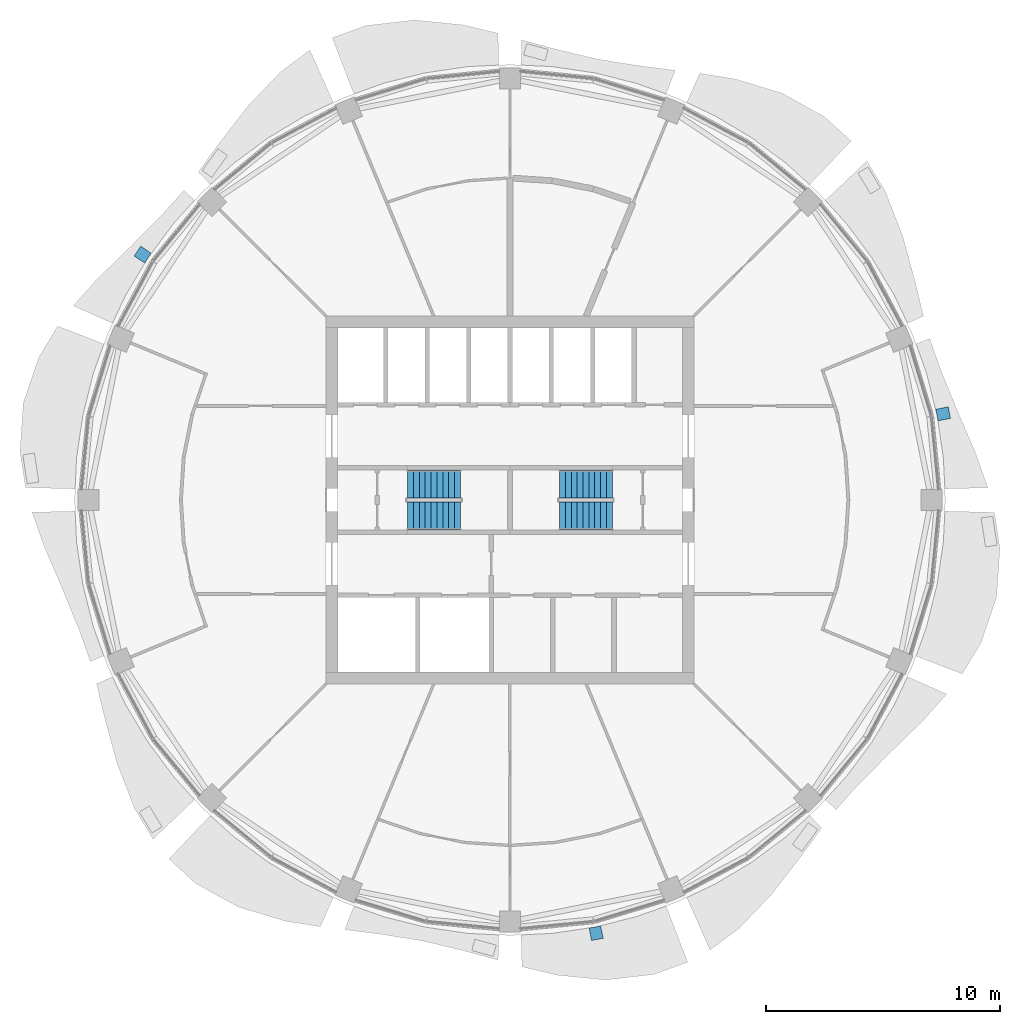
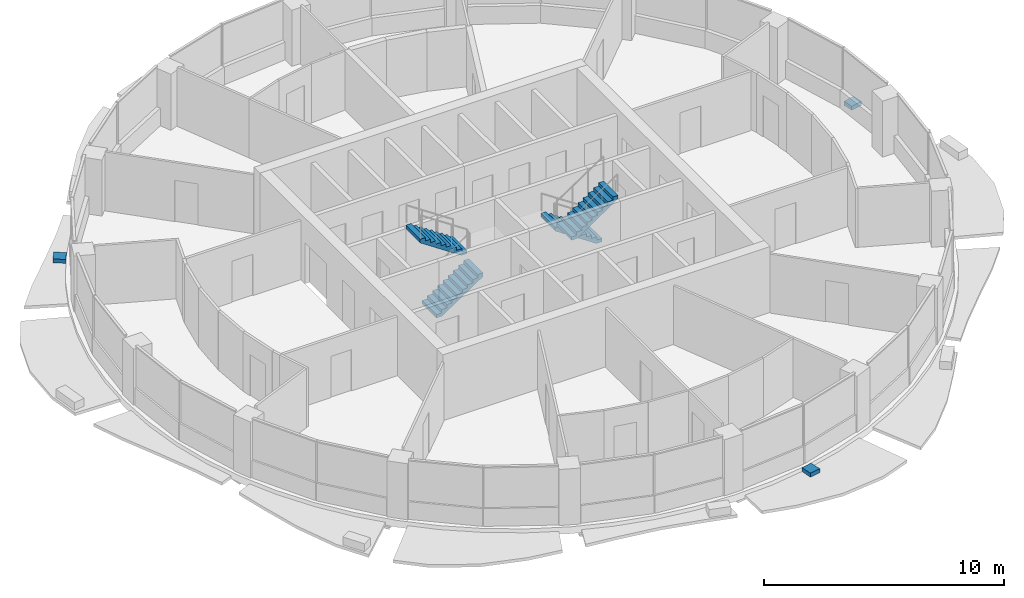
# One storey, part 11 of 15: 4 stair flights, 3 discrete accessories, 2 elements without a shape of their own.
"""IFC4 building model written with IfcOpenShell, lengths in metres."""

from ifc_helpers import new_model, si_unit, direction, frame, origin, place, context, subcontext, project, spatial, polyline, outline, extrude, material, type_object, element, aggregate, save


model = new_model("IFC4")

# Units and contexts
model_context = context("Model", 3, precision=1e-05, world=origin(), true_north=direction((0.0, 1.0)))
body_context = subcontext(model_context, "Body", "Model", "MODEL_VIEW")
ifc_project = project(units=[si_unit("LENGTHUNIT", "METRE"), si_unit("AREAUNIT", "SQUARE_METRE"), si_unit("VOLUMEUNIT", "CUBIC_METRE"), si_unit("PLANEANGLEUNIT", "RADIAN"), si_unit("MASSUNIT", "GRAM", prefix="KILO")], contexts=[model_context])

# Site, building, storey
site_placement = place(None, origin())
site = spatial("IfcSite", under=ifc_project, at=site_placement, CompositionType="ELEMENT")
building_placement = place(site_placement, origin())
building = spatial("IfcBuilding", under=site, at=building_placement, Name="Polderwave Tower", CompositionType="ELEMENT")
storey_placement = place(building_placement, frame((0.0, 0.0, 180.949951171875)))
storey = spatial("IfcBuildingStorey", under=building, at=storey_placement, Name="L48", CompositionType="ELEMENT", Elevation=180.949951171875)

# Stair, stair flights
ifc_material_1 = material(Name="Concrete C40/50", Category="concrete")
stair_type = type_object("IfcStairType", Name="Exit stair 1200 x 20 risers", PredefinedType="HALF_TURN_STAIR", material=ifc_material_1)
stair_1_placement = place(storey_placement, origin())
stair_1 = element("IfcStair", 1, at=stair_1_placement, inside=storey, type_object=stair_type, Name="L48 Exit stair A", PredefinedType="HALF_TURN_STAIR")
stair_flight_type = type_object("IfcStairFlightType", Name="Stair flight 1200", PredefinedType="STRAIGHT", material=ifc_material_1)
stair_flight_1_placement = place(storey_placement, frame((-4.3740234375, -0.675048828125, 0.0), z_axis=(0.0, 0.0, 1.0), x_axis=(1.0, 0.0, 0.0)))
stair_flight_1 = element("IfcStairFlight", 2, at=stair_flight_1_placement, type_object=stair_flight_type, Name="ST-A flight 1", NumberOfRisers=10, NumberOfTreads=9, PredefinedType="STRAIGHT", RiserHeight=0.1675, TreadLength=0.25, context=body_context, shape_type="SweptSolid", body=[
    extrude(outline(polyline([(0.0, 0.0), (0.0, 0.16748046875), (0.25, 0.16748046875), (0.25, 0.3349609375), (0.5, 0.3349609375), (0.5, 0.50244140625), (0.75, 0.50244140625), (0.75, 0.669921875), (1.0, 0.669921875), (1.0, 0.83740234375), (1.25, 0.83740234375), (1.25, 1.0048828125), (1.5, 1.0048828125), (1.5, 1.172607421875), (1.75, 1.172607421875), (1.75, 1.340087890625), (2.0, 1.340087890625), (2.0, 1.507568359375), (2.25, 1.507568359375), (2.25, 1.675048828125), (2.25, 1.3271484375), (0.269287109375, 0.0), (0.0, 0.0)])), frame((0.0, 0.60009765625, 0.0), z_axis=(0.0, -1.0, 0.0), x_axis=(1.0, 0.0, 0.0)), (0.0, 0.0, 1.0), 1.199951171875),
])
stair_flight_2_placement = place(storey_placement, frame((-2.1240234375, 0.675048828125, 1.675048828125), z_axis=(0.0, 0.0, 1.0), x_axis=(-1.0, 0.0, 0.0)))
stair_flight_2 = element("IfcStairFlight", 3, at=stair_flight_2_placement, type_object=stair_flight_type, Name="ST-A flight 2", NumberOfRisers=10, NumberOfTreads=9, PredefinedType="STRAIGHT", RiserHeight=0.1675, TreadLength=0.25, context=body_context, shape_type="SweptSolid", body=[
    extrude(outline(polyline([(0.0, 0.0), (0.0, 0.16748046875), (0.25, 0.16748046875), (0.25, 0.3349609375), (0.5, 0.3349609375), (0.5, 0.50244140625), (0.75, 0.50244140625), (0.75, 0.669921875), (1.0, 0.669921875), (1.0, 0.83740234375), (1.25, 0.83740234375), (1.25, 1.0048828125), (1.5, 1.0048828125), (1.5, 1.172607421875), (1.75, 1.172607421875), (1.75, 1.340087890625), (2.0, 1.340087890625), (2.0, 1.507568359375), (2.25, 1.507568359375), (2.25, 1.675048828125), (2.25, 1.3271484375), (0.269287109375, 0.0), (0.0, 0.0)])), frame((0.0, 0.60009765625, 0.0), z_axis=(0.0, -1.0, 0.0), x_axis=(1.0, 0.0, 0.0)), (0.0, 0.0, 1.0), 1.199951171875),
])
aggregate(stair_1, [stair_flight_1, stair_flight_2])

stair_2_placement = place(storey_placement, origin())
stair_2 = element("IfcStair", 4, at=stair_2_placement, inside=storey, type_object=stair_type, Name="L48 Exit stair B", PredefinedType="HALF_TURN_STAIR")
stair_flight_3_placement = place(storey_placement, frame((4.3740234375, 0.675048828125, 0.0), z_axis=(0.0, 0.0, 1.0), x_axis=(-1.0, 0.0, 0.0)))
stair_flight_3 = element("IfcStairFlight", 5, at=stair_flight_3_placement, type_object=stair_flight_type, Name="ST-B flight 1", NumberOfRisers=10, NumberOfTreads=9, PredefinedType="STRAIGHT", RiserHeight=0.1675, TreadLength=0.25, context=body_context, shape_type="SweptSolid", body=[
    extrude(outline(polyline([(0.0, 0.0), (0.0, 0.16748046875), (0.25, 0.16748046875), (0.25, 0.3349609375), (0.5, 0.3349609375), (0.5, 0.50244140625), (0.75, 0.50244140625), (0.75, 0.669921875), (1.0, 0.669921875), (1.0, 0.83740234375), (1.25, 0.83740234375), (1.25, 1.0048828125), (1.5, 1.0048828125), (1.5, 1.172607421875), (1.75, 1.172607421875), (1.75, 1.340087890625), (2.0, 1.340087890625), (2.0, 1.507568359375), (2.25, 1.507568359375), (2.25, 1.675048828125), (2.25, 1.3271484375), (0.269287109375, 0.0), (0.0, 0.0)])), frame((0.0, 0.60009765625, 0.0), z_axis=(0.0, -1.0, 0.0), x_axis=(1.0, 0.0, 0.0)), (0.0, 0.0, 1.0), 1.199951171875),
])
stair_flight_4_placement = place(storey_placement, frame((2.1240234375, -0.675048828125, 1.675048828125), z_axis=(0.0, 0.0, 1.0), x_axis=(1.0, 0.0, 0.0)))
stair_flight_4 = element("IfcStairFlight", 6, at=stair_flight_4_placement, type_object=stair_flight_type, Name="ST-B flight 2", NumberOfRisers=10, NumberOfTreads=9, PredefinedType="STRAIGHT", RiserHeight=0.1675, TreadLength=0.25, context=body_context, shape_type="SweptSolid", body=[
    extrude(outline(polyline([(0.0, 0.0), (0.0, 0.16748046875), (0.25, 0.16748046875), (0.25, 0.3349609375), (0.5, 0.3349609375), (0.5, 0.50244140625), (0.75, 0.50244140625), (0.75, 0.669921875), (1.0, 0.669921875), (1.0, 0.83740234375), (1.25, 0.83740234375), (1.25, 1.0048828125), (1.5, 1.0048828125), (1.5, 1.172607421875), (1.75, 1.172607421875), (1.75, 1.340087890625), (2.0, 1.340087890625), (2.0, 1.507568359375), (2.25, 1.507568359375), (2.25, 1.675048828125), (2.25, 1.3271484375), (0.269287109375, 0.0), (0.0, 0.0)])), frame((0.0, 0.60009765625, 0.0), z_axis=(0.0, -1.0, 0.0), x_axis=(1.0, 0.0, 0.0)), (0.0, 0.0, 1.0), 1.199951171875),
])
aggregate(stair_2, [stair_flight_3, stair_flight_4])

# Discrete accessories
ifc_material_2 = material(Name="Steel S355", Category="steel")
discrete_accessory_type = type_object("IfcDiscreteAccessoryType", Name="Band bracket pad", PredefinedType="BRACKET", material=ifc_material_2)
discrete_accessory_1_placement = place(storey_placement, frame((0.0, 0.0, -0.199951171875)))
element("IfcDiscreteAccessory", 7, at=discrete_accessory_1_placement, inside=storey, type_object=discrete_accessory_type, Name="Band bracket L48 1", PredefinedType="BRACKET", context=body_context, shape_type="SweptSolid", body=[
    extrude(outline(polyline([(18.298828125, 3.38525390625), (18.26220703125, 3.632568359375), (18.201416015625, 3.875), (18.739501953125, 3.989501953125), (18.839599609375, 3.4853515625), (18.298828125, 3.38525390625)])), origin(), (0.0, 0.0, 1.0), 0.199951171875),
])
discrete_accessory_2_placement = place(storey_placement, frame((0.0, 0.0, -0.199951171875)))
element("IfcDiscreteAccessory", 8, at=discrete_accessory_2_placement, inside=storey, type_object=discrete_accessory_type, Name="Band bracket L48 7", PredefinedType="BRACKET", context=body_context, shape_type="SweptSolid", body=[
    extrude(outline(polyline([(-15.3330078125, 10.54541015625), (-15.48193359375, 10.3447265625), (-15.610595703125, 10.13037109375), (-16.072021484375, 10.4296875), (-15.7861328125, 10.857177734375), (-15.3330078125, 10.54541015625)])), origin(), (0.0, 0.0, 1.0), 0.199951171875),
])
discrete_accessory_3_placement = place(storey_placement, frame((0.0, 0.0, -0.199951171875)))
element("IfcDiscreteAccessory", 9, at=discrete_accessory_3_placement, inside=storey, type_object=discrete_accessory_type, Name="Band bracket L48 13", PredefinedType="BRACKET", context=body_context, shape_type="SweptSolid", body=[
    extrude(outline(polyline([(3.38525390625, -18.298828125), (3.632568359375, -18.26220703125), (3.875, -18.201416015625), (3.989501953125, -18.739501953125), (3.4853515625, -18.839599609375), (3.38525390625, -18.298828125)])), origin(), (0.0, 0.0, 1.0), 0.199951171875),
])

save(model, "model.ifc")
